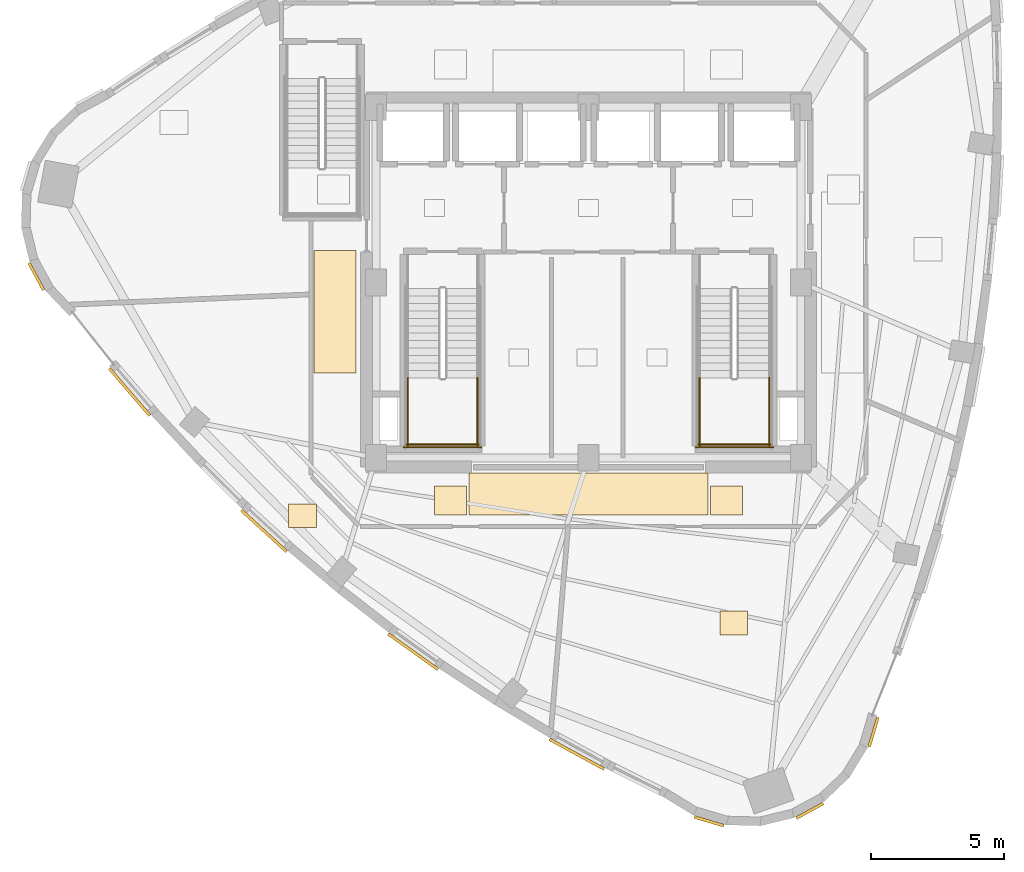
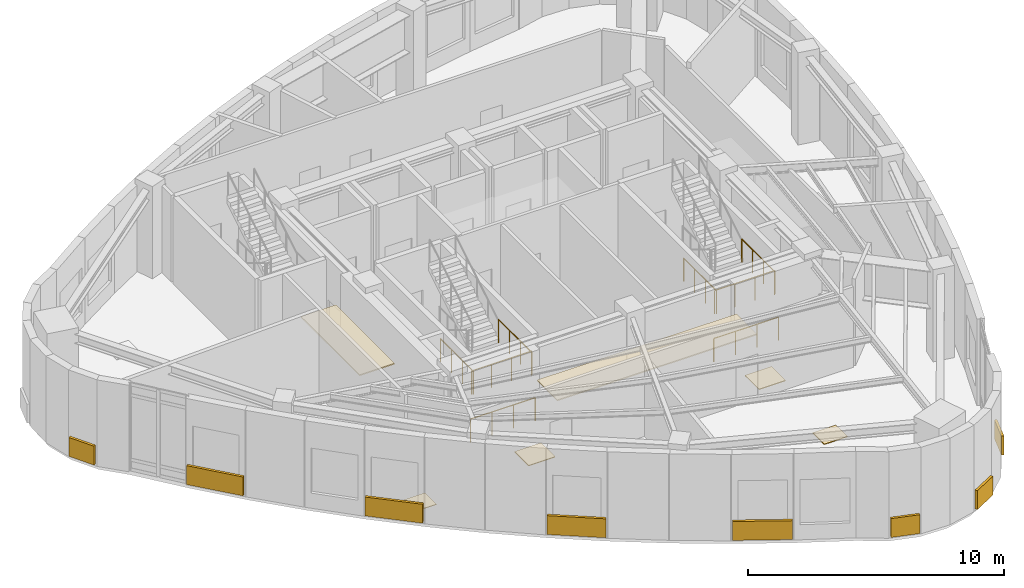
# One storey, part 12 of 14: 14 coverings, 8 railings.
"""IFC4 building model written with IfcOpenShell, lengths in metres."""

from ifc_helpers import new_model, si_unit, direction, frame, origin, origin_2d, place, context, subcontext, project, spatial, rectangle, circle, extrude, material, layer, layer_set, type_object, element, save


model = new_model("IFC4")

# Units and contexts
model_context = context("Model", 3, precision=1e-05, world=origin(), true_north=direction((0.0, 1.0)))
body_context = subcontext(model_context, "Body", "Model", "MODEL_VIEW")
ifc_project = project(units=[si_unit("LENGTHUNIT", "METRE"), si_unit("AREAUNIT", "SQUARE_METRE"), si_unit("VOLUMEUNIT", "CUBIC_METRE"), si_unit("PLANEANGLEUNIT", "RADIAN"), si_unit("MASSUNIT", "GRAM", prefix="KILO")], contexts=[model_context])

# Site, building, storey
site_placement = place(None, origin())
site = spatial("IfcSite", under=ifc_project, at=site_placement, CompositionType="ELEMENT")
building_placement = place(site_placement, origin())
building = spatial("IfcBuilding", under=site, at=building_placement, Name="Ndelora Gate Hotel", CompositionType="ELEMENT")
storey_placement = place(building_placement, frame((0.0, 0.0, 281.60009765625)))
storey = spatial("IfcBuildingStorey", under=building, at=storey_placement, Name="L70", CompositionType="ELEMENT", Elevation=281.60009765625)

# Coverings
ifc_material_1 = material(Name="Perforated Acoustic Gypsum Board", Category="gypsum")
ifc_layer_1 = layer(ifc_material_1, 0.054931640625)
ifc_layer_set_1 = layer_set([ifc_layer_1], Name="Perforated Acoustic Gypsum Board")
covering_type_1 = type_object("IfcCoveringType", Name="COV-CEIL-AC60", PredefinedType="CEILING", material=ifc_layer_set_1)
covering_1_placement = place(storey_placement, frame((-9.550048828125, -1.10009765625, 2.65234375), z_axis=(0.0, 0.0, 1.0), x_axis=(1.0, 0.0, 0.0)))
element("IfcCovering", 1, at=covering_1_placement, inside=storey, type_object=covering_type_1, Name="L70 Guest Corridor Acoustic Ceiling W", PredefinedType="CEILING", context=body_context, shape_type="SweptSolid", body=[
    extrude(rectangle(XDim=1.580078125, YDim=4.60009765625, at=origin_2d()), origin(), (0.0, 0.0, 1.0), 0.054931640625),
])
covering_2_placement = place(storey_placement, frame((0.0, -7.9599609375, 2.65234375), z_axis=(0.0, 0.0, 1.0), x_axis=(1.0, 0.0, 0.0)))
element("IfcCovering", 2, at=covering_2_placement, inside=storey, type_object=covering_type_1, Name="L70 Guest Corridor Acoustic Ceiling S", PredefinedType="CEILING", context=body_context, shape_type="SweptSolid", body=[
    extrude(rectangle(XDim=9.0, YDim=1.580078125, at=origin_2d()), origin(), (0.0, 0.0, 1.0), 0.054931640625),
])
ifc_material_2 = material(Name="Terracotta Fired Clay Brick Slip Cladding", Category="masonry")
ifc_layer_2 = layer(ifc_material_2, 0.110107421875)
ifc_layer_set_2 = layer_set([ifc_layer_2], Name="Terracotta Fired Clay Brick Slip Cladding")
covering_type_2 = type_object("IfcCoveringType", Name="COV-CLAD-BRK", PredefinedType="CLADDING", material=ifc_layer_set_2)
covering_3_placement = place(storey_placement, frame((-20.781494140625, 0.2236328125, 0.099853515625), z_axis=(0.0, 0.0, 1.0), x_axis=(-0.47715876026, 0.878817112662, 0.0)))
element("IfcCovering", 3, at=covering_3_placement, inside=storey, type_object=covering_type_2, Name="L70 Rounded-Corner Brick Cladding Band 7", PredefinedType="CLADDING", context=body_context, shape_type="SweptSolid", body=[
    extrude(rectangle(XDim=1.153076171875, YDim=0.110107421875, at=origin_2d()), origin(), (0.0, 0.0, 1.0), 0.89990234375),
])
covering_4_placement = place(storey_placement, frame((-17.27294921875, -4.123046875, 0.099853515625), z_axis=(0.0, 0.0, 1.0), x_axis=(-0.651568967347, 0.758589401976, 0.0)))
element("IfcCovering", 4, at=covering_4_placement, inside=storey, type_object=covering_type_2, Name="L70 Rounded-Corner Brick Cladding Band 10", PredefinedType="CLADDING", context=body_context, shape_type="SweptSolid", body=[
    extrude(rectangle(XDim=2.3369140625, YDim=0.110107421875, at=origin_2d()), origin(), (0.0, 0.0, 1.0), 0.89990234375),
])
for number, where, z_axis, x_axis, name in (
    (5, (-12.21533203125, -9.348388671875, 0.099853515625), (0.0, 0.0, 1.0), (-0.737513117358, 0.675332808121, 0.0), "L70 Rounded-Corner Brick Cladding Band 13"),
    (6, (-6.6044921875, -13.891845703125, 0.099853515625), (0.0, 0.0, 1.0), (-0.813912765191, 0.580987100252, 0.0), "L70 Rounded-Corner Brick Cladding Band 16"),
):
    element("IfcCovering", number, at=place(storey_placement, frame(where, z_axis=z_axis, x_axis=x_axis)), inside=storey, type_object=covering_type_2, Name=name, PredefinedType="CLADDING", context=body_context, shape_type="SweptSolid", body=[
        extrude(rectangle(XDim=2.302001953125, YDim=0.110107421875, at=origin_2d()), origin(), (0.0, 0.0, 1.0), 0.89990234375),
    ])
covering_5_placement = place(storey_placement, frame((-0.441650390625, -17.752685546875, 0.099853515625), z_axis=(0.0, 0.0, 1.0), x_axis=(-0.87748120917, 0.479611016922, 0.0)))
element("IfcCovering", 7, at=covering_5_placement, inside=storey, type_object=covering_type_2, Name="L70 Rounded-Corner Brick Cladding Band 19", PredefinedType="CLADDING", context=body_context, shape_type="SweptSolid", body=[
    extrude(rectangle(XDim=2.3369140625, YDim=0.110107421875, at=origin_2d()), origin(), (0.0, 0.0, 1.0), 0.89990234375),
])
for number, where, z_axis, x_axis, name in (
    (8, (4.539306640625, -20.281005859375, 0.099853515625), (0.0, 0.0, 1.0), (-0.958819734868, 0.284015344704, 0.0), "L70 Rounded-Corner Brick Cladding Band 22"),
    (9, (8.328125, -19.882568359375, 0.099853515625), (0.0, 0.0, 1.0), (0.878817112662, 0.47715876026, 0.0), "L70 Rounded-Corner Brick Cladding Band 25"),
    (10, (10.7255859375, -16.922119140625, 0.099853515625), (0.0, 0.0, 1.0), (0.284015344704, 0.958819734868, 0.0), "L70 Rounded-Corner Brick Cladding Band 28"),
):
    element("IfcCovering", number, at=place(storey_placement, frame(where, z_axis=z_axis, x_axis=x_axis)), inside=storey, type_object=covering_type_2, Name=name, PredefinedType="CLADDING", context=body_context, shape_type="SweptSolid", body=[
        extrude(rectangle(XDim=1.153076171875, YDim=0.110107421875, at=origin_2d()), origin(), (0.0, 0.0, 1.0), 0.89990234375),
    ])
ifc_material_3 = material(Name="Engineered Highland Oak Parquet", Category="wood")
ifc_layer_3 = layer(ifc_material_3, 0.030029296875)
ifc_layer_set_3 = layer_set([ifc_layer_3], Name="Engineered Highland Oak Parquet")
covering_type_3 = type_object("IfcCoveringType", Name="COV-FLR-PARQ", PredefinedType="FLOORING", material=ifc_layer_set_3)
for number, where, z_axis, x_axis, name in (
    (11, (-10.759521484375, -8.777587890625, 0.0), (0.0, 0.0, 1.0), (1.0, 0.0, 0.0), "L70 Altitude Sky Cocktail Bar Oak Parquet Flooring"),
    (12, (5.464599609375, -12.8115234375, 0.0), (0.0, 0.0, 1.0), (1.0, 0.0, 0.0), "L70 East Peak Champagne Cocktail Bar Oak Parquet Flooring"),
):
    element("IfcCovering", number, at=place(storey_placement, frame(where, z_axis=z_axis, x_axis=x_axis)), inside=storey, type_object=covering_type_3, Name=name, PredefinedType="FLOORING", context=body_context, shape_type="SweptSolid", body=[
        extrude(rectangle(XDim=1.050048828125, YDim=0.89990234375, at=origin_2d()), origin(), (0.0, 0.0, 1.0), 0.030029296875),
    ])
ifc_material_4 = material(Name="Polished Highland Stone Terrazzo", Category="masonry")
ifc_layer_4 = layer(ifc_material_4, 0.034912109375)
ifc_layer_set_4 = layer_set([ifc_layer_4], Name="Polished Highland Stone Terrazzo")
covering_type_4 = type_object("IfcCoveringType", Name="COV-FLR-TERZ", PredefinedType="FLOORING", material=ifc_layer_set_4)
for number, where, z_axis, x_axis, name in (
    (13, (-5.199951171875, -8.199951171875, 0.0), (0.0, 0.0, 1.0), (1.0, 0.0, 0.0), "L70 Corridor Threshold Terrazzo Inlay SW"),
    (14, (5.199951171875, -8.199951171875, 0.0), (0.0, 0.0, 1.0), (1.0, 0.0, 0.0), "L70 Corridor Threshold Terrazzo Inlay SE"),
):
    element("IfcCovering", number, at=place(storey_placement, frame(where, z_axis=z_axis, x_axis=x_axis)), inside=storey, type_object=covering_type_4, Name=name, PredefinedType="FLOORING", context=body_context, shape_type="SweptSolid", body=[
        extrude(rectangle(XDim=1.199951171875, YDim=1.10009765625, at=origin_2d()), origin(), (0.0, 0.0, 1.0), 0.034912109375),
    ])

# Railings
ifc_material_5 = material(Name="Painted Galvanized Steel Balustrade", Category="steel")
ifc_layer_5 = layer(ifc_material_5, 0.06005859375)
ifc_layer_set_5 = layer_set([ifc_layer_5], Name="Painted Galvanized Steel Balustrade")
railing_type = type_object("IfcRailingType", Name="RL-STAIR-GD", PredefinedType="GUARDRAIL", material=ifc_layer_set_5)
for number, where, name in (
    (15, (-6.800048828125, -3.590087890625, 2.199951171875), "L70 ST4 stair guard 3"),
    (16, (-4.179931640625, -3.590087890625, 2.199951171875), "L70 ST4 stair guard 4"),
):
    element("IfcRailing", number, at=place(storey_placement, frame(where)), inside=storey, type_object=railing_type, Name=name, PredefinedType="GUARDRAIL", context=body_context, shape_type="SweptSolid", body=[
        extrude(circle(Radius=0.02392578125, at=origin_2d()), frame((0.0, 0.0, 1.10595703125), z_axis=(0.0, -1.0, 0.0), x_axis=(1.0, 0.0, 0.0)), (0.0, 0.0, 1.0), 2.559814453125),
        extrude(circle(Radius=0.02099609375, at=origin_2d()), origin(), (0.0, 0.0, 1.0), 1.081787109375),
        extrude(circle(Radius=0.02099609375, at=origin_2d()), frame((0.0, -0.853271484375, 0.0)), (0.0, 0.0, 1.0), 1.081787109375),
        extrude(circle(Radius=0.02099609375, at=origin_2d()), frame((0.0, -1.70654296875, 0.0)), (0.0, 0.0, 1.0), 1.081787109375),
        extrude(circle(Radius=0.02099609375, at=origin_2d()), frame((0.0, -2.559814453125, 0.0)), (0.0, 0.0, 1.0), 1.081787109375),
    ])
railing_1_placement = place(storey_placement, frame((-6.85009765625, -6.10009765625, 2.199951171875)))
element("IfcRailing", 17, at=railing_1_placement, inside=storey, type_object=railing_type, Name="L70 ST4 stair guard 5", PredefinedType="GUARDRAIL", context=body_context, shape_type="SweptSolid", body=[
    extrude(circle(Radius=0.02392578125, at=origin_2d()), frame((0.0, 0.0, 1.10595703125), z_axis=(1.0, 0.0, 0.0), x_axis=(0.0, 1.0, 0.0)), (0.0, 0.0, 1.0), 2.72021484375),
    extrude(circle(Radius=0.02099609375, at=origin_2d()), origin(), (0.0, 0.0, 1.0), 1.081787109375),
    extrude(circle(Radius=0.02099609375, at=origin_2d()), frame((0.90673828125, 0.0, 0.0)), (0.0, 0.0, 1.0), 1.081787109375),
    extrude(circle(Radius=0.02099609375, at=origin_2d()), frame((1.8134765625, 0.0, 0.0)), (0.0, 0.0, 1.0), 1.081787109375),
    extrude(circle(Radius=0.02099609375, at=origin_2d()), frame((2.72021484375, 0.0, 0.0)), (0.0, 0.0, 1.0), 1.081787109375),
])
railing_2_placement = place(storey_placement, frame((-6.949951171875, -6.199951171875, 0.0)))
element("IfcRailing", 18, at=railing_2_placement, inside=storey, type_object=railing_type, Name="L70 ST4 stair guard 12", PredefinedType="GUARDRAIL", context=body_context, shape_type="SweptSolid", body=[
    extrude(circle(Radius=0.02392578125, at=origin_2d()), frame((0.0, 0.0, 1.10595703125), z_axis=(1.0, 0.0, 0.0), x_axis=(0.0, 1.0, 0.0)), (0.0, 0.0, 1.0), 2.919921875),
    extrude(circle(Radius=0.02099609375, at=origin_2d()), origin(), (0.0, 0.0, 1.0), 1.081787109375),
    extrude(circle(Radius=0.02099609375, at=origin_2d()), frame((0.973388671875, 0.0, 0.0)), (0.0, 0.0, 1.0), 1.081787109375),
    extrude(circle(Radius=0.02099609375, at=origin_2d()), frame((1.946533203125, 0.0, 0.0)), (0.0, 0.0, 1.0), 1.081787109375),
    extrude(circle(Radius=0.02099609375, at=origin_2d()), frame((2.919921875, 0.0, 0.0)), (0.0, 0.0, 1.0), 1.081787109375),
])
for number, where, name in (
    (19, (4.179931640625, -3.590087890625, 2.199951171875), "L70 ST5 stair guard 3"),
    (20, (6.800048828125, -3.590087890625, 2.199951171875), "L70 ST5 stair guard 4"),
):
    element("IfcRailing", number, at=place(storey_placement, frame(where)), inside=storey, type_object=railing_type, Name=name, PredefinedType="GUARDRAIL", context=body_context, shape_type="SweptSolid", body=[
        extrude(circle(Radius=0.02392578125, at=origin_2d()), frame((0.0, 0.0, 1.10595703125), z_axis=(0.0, -1.0, 0.0), x_axis=(1.0, 0.0, 0.0)), (0.0, 0.0, 1.0), 2.559814453125),
        extrude(circle(Radius=0.02099609375, at=origin_2d()), origin(), (0.0, 0.0, 1.0), 1.081787109375),
        extrude(circle(Radius=0.02099609375, at=origin_2d()), frame((0.0, -0.853271484375, 0.0)), (0.0, 0.0, 1.0), 1.081787109375),
        extrude(circle(Radius=0.02099609375, at=origin_2d()), frame((0.0, -1.70654296875, 0.0)), (0.0, 0.0, 1.0), 1.081787109375),
        extrude(circle(Radius=0.02099609375, at=origin_2d()), frame((0.0, -2.559814453125, 0.0)), (0.0, 0.0, 1.0), 1.081787109375),
    ])
railing_3_placement = place(storey_placement, frame((4.1298828125, -6.10009765625, 2.199951171875)))
element("IfcRailing", 21, at=railing_3_placement, inside=storey, type_object=railing_type, Name="L70 ST5 stair guard 5", PredefinedType="GUARDRAIL", context=body_context, shape_type="SweptSolid", body=[
    extrude(circle(Radius=0.02392578125, at=origin_2d()), frame((0.0, 0.0, 1.10595703125), z_axis=(1.0, 0.0, 0.0), x_axis=(0.0, 1.0, 0.0)), (0.0, 0.0, 1.0), 2.72021484375),
    extrude(circle(Radius=0.02099609375, at=origin_2d()), origin(), (0.0, 0.0, 1.0), 1.081787109375),
    extrude(circle(Radius=0.02099609375, at=origin_2d()), frame((0.90673828125, 0.0, 0.0)), (0.0, 0.0, 1.0), 1.081787109375),
    extrude(circle(Radius=0.02099609375, at=origin_2d()), frame((1.8134765625, 0.0, 0.0)), (0.0, 0.0, 1.0), 1.081787109375),
    extrude(circle(Radius=0.02099609375, at=origin_2d()), frame((2.72021484375, 0.0, 0.0)), (0.0, 0.0, 1.0), 1.081787109375),
])
railing_4_placement = place(storey_placement, frame((4.030029296875, -6.199951171875, 0.0)))
element("IfcRailing", 22, at=railing_4_placement, inside=storey, type_object=railing_type, Name="L70 ST5 stair guard 12", PredefinedType="GUARDRAIL", context=body_context, shape_type="SweptSolid", body=[
    extrude(circle(Radius=0.02392578125, at=origin_2d()), frame((0.0, 0.0, 1.10595703125), z_axis=(1.0, 0.0, 0.0), x_axis=(0.0, 1.0, 0.0)), (0.0, 0.0, 1.0), 2.919921875),
    extrude(circle(Radius=0.02099609375, at=origin_2d()), origin(), (0.0, 0.0, 1.0), 1.081787109375),
    extrude(circle(Radius=0.02099609375, at=origin_2d()), frame((0.973388671875, 0.0, 0.0)), (0.0, 0.0, 1.0), 1.081787109375),
    extrude(circle(Radius=0.02099609375, at=origin_2d()), frame((1.946533203125, 0.0, 0.0)), (0.0, 0.0, 1.0), 1.081787109375),
    extrude(circle(Radius=0.02099609375, at=origin_2d()), frame((2.919921875, 0.0, 0.0)), (0.0, 0.0, 1.0), 1.081787109375),
])

save(model, "model.ifc")
